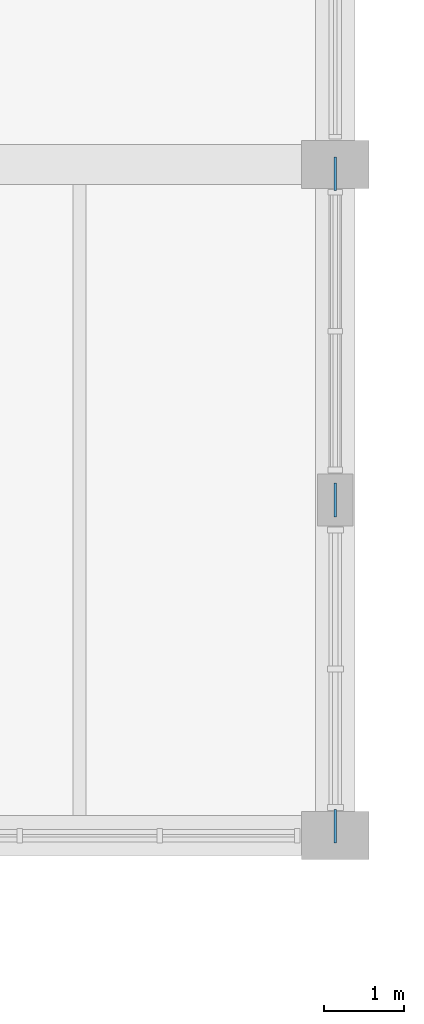
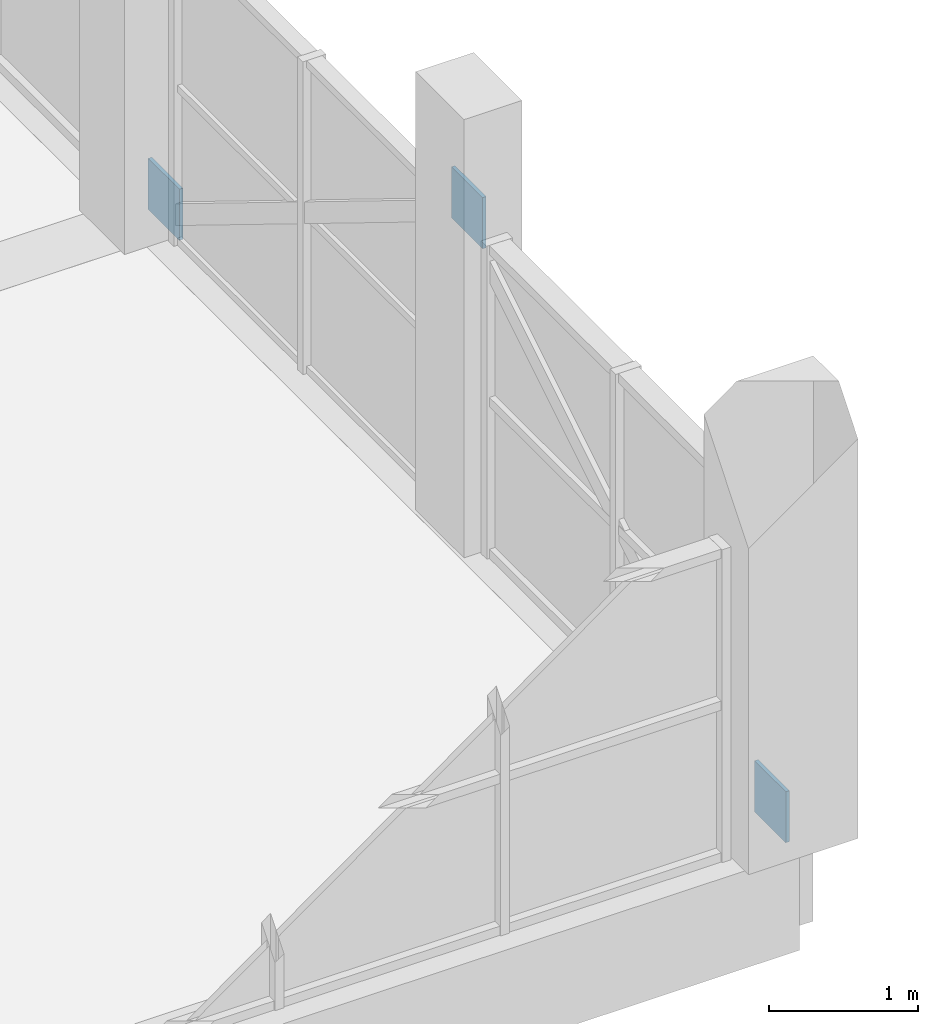
# One storey, part 115 of 147: 3 plates.
"""IFC4 building model written with IfcOpenShell, lengths in metres."""

from ifc_helpers import new_model, si_unit, direction, frame, origin, origin_2d, place, context, subcontext, project, spatial, rectangle, extrude, material, layer, layer_set, type_object, element, save


model = new_model("IFC4")

# Units and contexts
model_context = context("Model", 3, precision=1e-05, world=origin(), true_north=direction((0.0, 1.0)))
body_context = subcontext(model_context, "Body", "Model", "MODEL_VIEW")
ifc_project = project(units=[si_unit("LENGTHUNIT", "METRE"), si_unit("AREAUNIT", "SQUARE_METRE"), si_unit("VOLUMEUNIT", "CUBIC_METRE"), si_unit("PLANEANGLEUNIT", "RADIAN"), si_unit("MASSUNIT", "GRAM", prefix="KILO")], contexts=[model_context])

# Site, building, storey
site_placement = place(None, origin())
site = spatial("IfcSite", under=ifc_project, at=site_placement, CompositionType="ELEMENT")
building_placement = place(site_placement, origin())
building = spatial("IfcBuilding", under=site, at=building_placement, Name="Oolite Switchyard Hospital", CompositionType="ELEMENT")
storey_placement = place(building_placement, frame((0.0, 0.0, 9.89990234375)))
storey = spatial("IfcBuildingStorey", under=building, at=storey_placement, Name="L02", CompositionType="ELEMENT", Elevation=9.89990234375)

# Plates
ifc_material = material(Name="Steel ASTM A572 Grade 50", Category="steel")
ifc_layer = layer(ifc_material, 0.028076171875)
ifc_layer_set = layer_set([ifc_layer], Name="PLT-GUS-420")
plate_type = type_object("IfcPlateType", Name="PLT-GUS-420", PredefinedType="SHEET", material=ifc_layer_set)
for number, where, z_axis, x_axis, name in (
    (1, (211.199951171875, 33.719970703125, -0.009765625), (0.0, 0.0, 1.0), (0.0, 1.0, 0.0), "L02 Brace Base Gusset Plate 112"),
    (2, (211.199951171875, 41.8798828125, -0.009765625), (0.0, 0.0, 1.0), (0.0, 1.0, 0.0), "L02 Brace Base Gusset Plate 113"),
    (3, (211.199951171875, 37.800048828125, 2.39501953125), (0.0, 0.0, 1.0), (0.0, 1.0, 0.0), "L02 Gusset Connection Plate 114"),
):
    element("IfcPlate", number, at=place(storey_placement, frame(where, z_axis=z_axis, x_axis=x_axis)), inside=storey, type_object=plate_type, Name=name, PredefinedType="SHEET", context=body_context, shape_type="SweptSolid", body=[
        extrude(rectangle(XDim=0.419921875, YDim=0.028076171875, at=origin_2d()), origin(), (0.0, 0.0, 1.0), 0.419921875),
    ])

save(model, "model.ifc")
